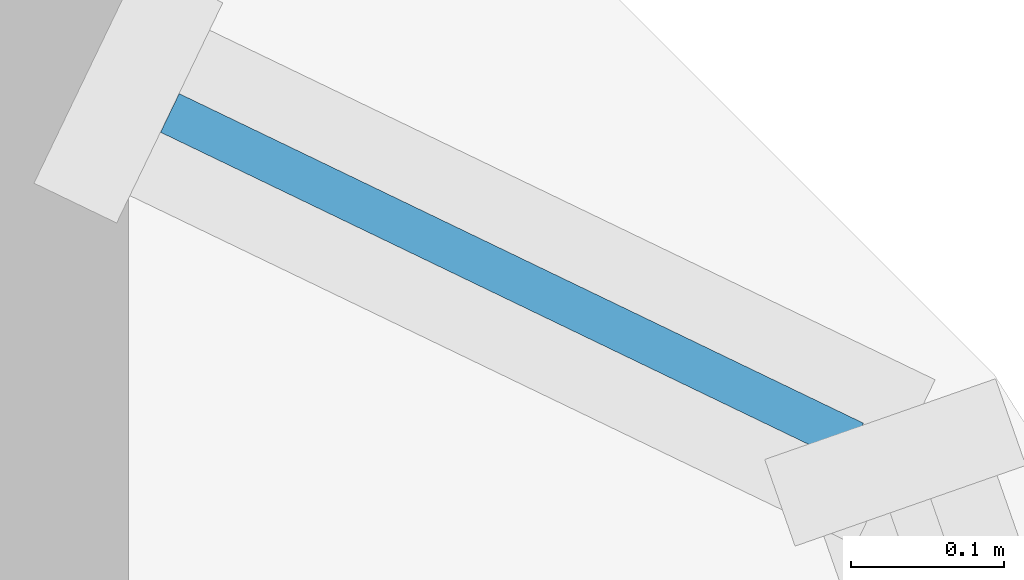
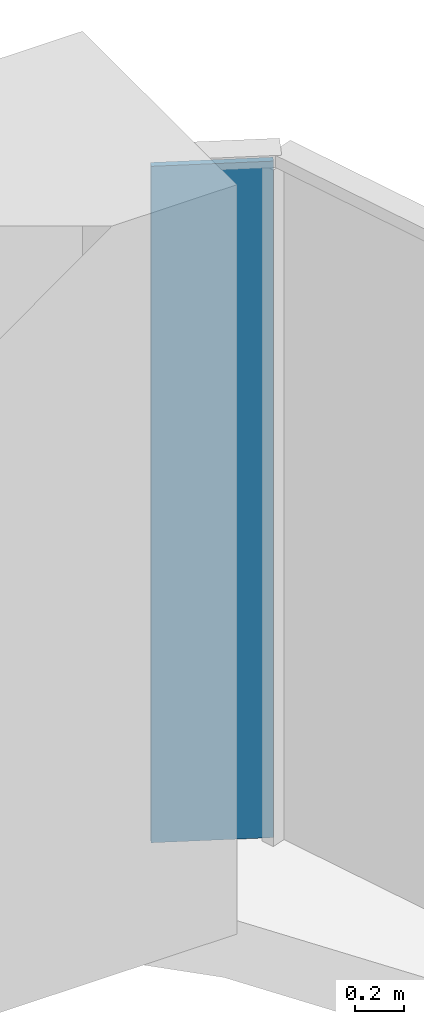
# One storey, part 15 of 35: 1 plate, 1 element without a shape of its own.
"""IFC4 building model written with IfcOpenShell, lengths in metres."""

from ifc_helpers import new_model, si_unit, direction, frame, origin, origin_2d, place, context, subcontext, project, spatial, rectangle, extrude, material, layer, layer_set, type_object, element, aggregate, save


model = new_model("IFC4")

# Units and contexts
model_context = context("Model", 3, precision=1e-05, world=origin(), true_north=direction((0.0, 1.0)))
body_context = subcontext(model_context, "Body", "Model", "MODEL_VIEW")
ifc_project = project(units=[si_unit("LENGTHUNIT", "METRE"), si_unit("AREAUNIT", "SQUARE_METRE"), si_unit("VOLUMEUNIT", "CUBIC_METRE"), si_unit("PLANEANGLEUNIT", "RADIAN"), si_unit("MASSUNIT", "GRAM", prefix="KILO")], contexts=[model_context])

# Site, building, storey
site_placement = place(None, origin())
site = spatial("IfcSite", under=ifc_project, at=site_placement, CompositionType="ELEMENT")
building_placement = place(site_placement, origin())
building = spatial("IfcBuilding", under=site, at=building_placement, Name="Ogive Portal Towers", CompositionType="ELEMENT")
storey_placement = place(building_placement, frame((0.0, 0.0, 90.800048828125)))
storey = spatial("IfcBuildingStorey", under=building, at=storey_placement, Name="L21", CompositionType="ELEMENT", Elevation=90.800048828125)

# Curtain wall, plate
ifc_material = material(Name="Glass, clear low-iron insulated glazing", Category="glass")
curtain_wall_type = type_object("IfcCurtainWallType", Name="CW FRONT RIBBON 4500", PredefinedType="NOTDEFINED", material=ifc_material)
curtain_wall_placement = place(storey_placement, origin())
curtain_wall = element("IfcCurtainWall", 1, at=curtain_wall_placement, inside=storey, type_object=curtain_wall_type, Name="A:L21:f09:cwa~0", PredefinedType="NOTDEFINED")
ifc_layer = layer(ifc_material, 0.028076171875)
ifc_layer_set = layer_set([ifc_layer], Name="CW PANEL IGU 28")
plate_type = type_object("IfcPlateType", Name="CW PANEL IGU 28", PredefinedType="CURTAIN_PANEL", material=ifc_layer_set)
plate_placement = place(storey_placement, frame((93.325927734375, 37.460693359375, 0.0), z_axis=(0.0, 0.0, 1.0), x_axis=(-0.900968867905, 0.433883739113, 0.0)))
plate = element("IfcPlate", 2, at=plate_placement, type_object=plate_type, Name="panel", PredefinedType="CURTAIN_PANEL", context=body_context, shape_type="SweptSolid", body=[
    extrude(rectangle(XDim=0.496826171875, YDim=0.028076171875, at=origin_2d()), origin(), (0.0, 0.0, 1.0), 3.340087890625),
])
aggregate(curtain_wall, [plate])

save(model, "model.ifc")
